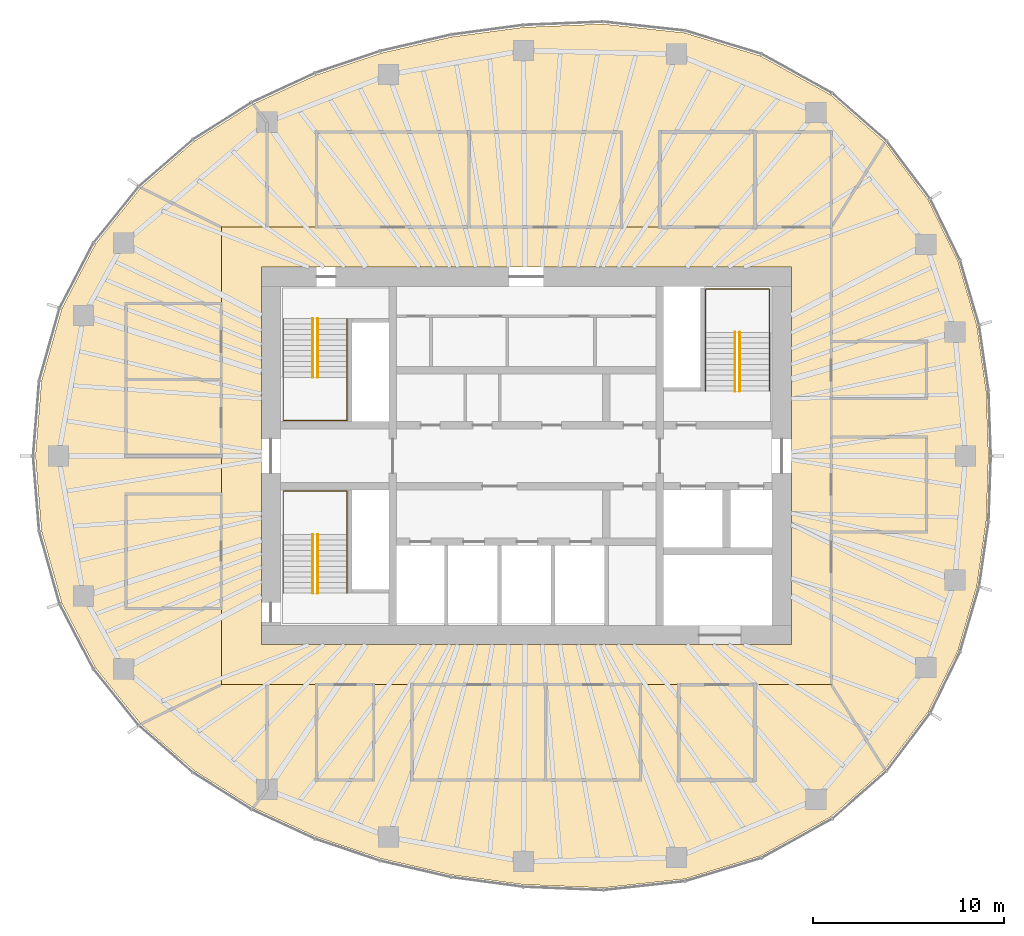
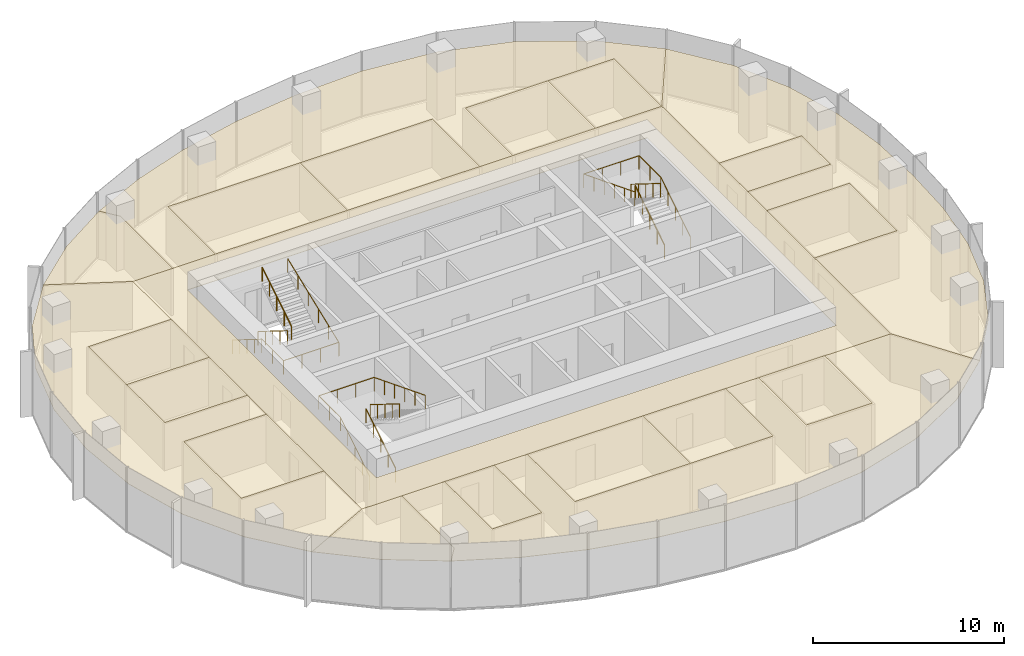
# One storey, part 12 of 12: 20 coverings, 9 railings.
"""IFC4 building model written with IfcOpenShell, lengths in metres."""

from ifc_helpers import new_model, si_unit, direction, frame, origin, origin_2d, place, context, subcontext, project, spatial, polyline, circle, outline, extrude, material, layer, layer_set, type_object, element, save


model = new_model("IFC4")

# Units and contexts
model_context = context("Model", 3, precision=1e-05, world=origin(), true_north=direction((0.0, 1.0)))
body_context = subcontext(model_context, "Body", "Model", "MODEL_VIEW")
ifc_project = project(units=[si_unit("LENGTHUNIT", "METRE"), si_unit("AREAUNIT", "SQUARE_METRE"), si_unit("VOLUMEUNIT", "CUBIC_METRE"), si_unit("PLANEANGLEUNIT", "RADIAN"), si_unit("MASSUNIT", "GRAM", prefix="KILO")], contexts=[model_context])

# Site, building, storey
site_placement = place(None, origin())
site = spatial("IfcSite", under=ifc_project, at=site_placement, CompositionType="ELEMENT")
building_placement = place(site_placement, origin())
building = spatial("IfcBuilding", under=site, at=building_placement, Name="Ghaith Harvest Tower", CompositionType="ELEMENT")
storey_placement = place(building_placement, frame((0.0, 0.0, 296.39990234375)))
storey = spatial("IfcBuildingStorey", under=building, at=storey_placement, Name="L66", CompositionType="ELEMENT", Elevation=296.39990234375)

# Coverings
ifc_material_1 = material(Name="Mineral fibre ceiling tile", Category="gypsum")
ifc_layer = layer(ifc_material_1, 0.02490234375)
ifc_layer_set = layer_set([ifc_layer], Name="CEILING C2")
covering_type = type_object("IfcCoveringType", Name="CEILING C2", PredefinedType="CEILING", material=ifc_layer_set)
covering_1_placement = place(storey_placement, frame((0.0, 0.0, 3.0)))
element("IfcCovering", 1, at=covering_1_placement, inside=storey, type_object=covering_type, Name="Ceiling L66-01", PredefinedType="CEILING", context=body_context, shape_type="SweptSolid", body=[
    extrude(outline(polyline([(-11.0, 12.0), (-3.0, 12.0), (-3.0, 17.0), (-11.0, 17.0), (-11.0, 12.0)])), origin(), (0.0, 0.0, 1.0), 0.025146484375),
])
covering_2_placement = place(storey_placement, frame((0.0, 0.0, 3.0)))
element("IfcCovering", 2, at=covering_2_placement, inside=storey, type_object=covering_type, Name="Ceiling L66-02", PredefinedType="CEILING", context=body_context, shape_type="SweptSolid", body=[
    extrude(outline(polyline([(-3.0, 12.0), (5.0, 12.0), (5.0, 17.0), (-3.0, 17.0), (-3.0, 12.0)])), origin(), (0.0, 0.0, 1.0), 0.025146484375),
])
covering_3_placement = place(storey_placement, frame((0.0, 0.0, 3.0)))
element("IfcCovering", 3, at=covering_3_placement, inside=storey, type_object=covering_type, Name="Ceiling L66-03", PredefinedType="CEILING", context=body_context, shape_type="SweptSolid", body=[
    extrude(outline(polyline([(7.0, 12.0), (12.0, 12.0), (12.0, 17.0), (7.0, 17.0), (7.0, 12.0)])), origin(), (0.0, 0.0, 1.0), 0.025146484375),
])
covering_4_placement = place(storey_placement, frame((0.0, 0.0, 3.0)))
element("IfcCovering", 4, at=covering_4_placement, inside=storey, type_object=covering_type, Name="Ceiling L66-04", PredefinedType="CEILING", context=body_context, shape_type="SweptSolid", body=[
    extrude(outline(polyline([(12.0, 12.0), (16.0, 12.0), (16.0, 17.0), (12.0, 17.0), (12.0, 12.0)])), origin(), (0.0, 0.0, 1.0), 0.025146484375),
])
covering_5_placement = place(storey_placement, frame((0.0, 0.0, 3.0)))
element("IfcCovering", 5, at=covering_5_placement, inside=storey, type_object=covering_type, Name="Ceiling L66-05", PredefinedType="CEILING", context=body_context, shape_type="SweptSolid", body=[
    extrude(outline(polyline([(-6.0, -17.0), (1.0, -17.0), (1.0, -12.0), (-6.0, -12.0), (-6.0, -17.0)])), origin(), (0.0, 0.0, 1.0), 0.025146484375),
])
covering_6_placement = place(storey_placement, frame((0.0, 0.0, 3.0)))
element("IfcCovering", 6, at=covering_6_placement, inside=storey, type_object=covering_type, Name="Ceiling L66-06", PredefinedType="CEILING", context=body_context, shape_type="SweptSolid", body=[
    extrude(outline(polyline([(1.0, -17.0), (6.0, -17.0), (6.0, -12.0), (1.0, -12.0), (1.0, -17.0)])), origin(), (0.0, 0.0, 1.0), 0.025146484375),
])
covering_7_placement = place(storey_placement, frame((0.0, 0.0, 3.0)))
element("IfcCovering", 7, at=covering_7_placement, inside=storey, type_object=covering_type, Name="Ceiling L66-07", PredefinedType="CEILING", context=body_context, shape_type="SweptSolid", body=[
    extrude(outline(polyline([(8.0, -17.0), (12.0, -17.0), (12.0, -12.0), (8.0, -12.0), (8.0, -17.0)])), origin(), (0.0, 0.0, 1.0), 0.025146484375),
])
covering_8_placement = place(storey_placement, frame((0.0, 0.0, 3.0)))
element("IfcCovering", 8, at=covering_8_placement, inside=storey, type_object=covering_type, Name="Ceiling L66-08", PredefinedType="CEILING", context=body_context, shape_type="SweptSolid", body=[
    extrude(outline(polyline([(-21.0, -8.0), (-16.0, -8.0), (-16.0, -2.0), (-21.0, -2.0), (-21.0, -8.0)])), origin(), (0.0, 0.0, 1.0), 0.025146484375),
])
covering_9_placement = place(storey_placement, frame((0.0, 0.0, 3.0)))
element("IfcCovering", 9, at=covering_9_placement, inside=storey, type_object=covering_type, Name="Ceiling L66-09", PredefinedType="CEILING", context=body_context, shape_type="SweptSolid", body=[
    extrude(outline(polyline([(16.0, -4.0), (21.0, -4.0), (21.0, 1.0), (16.0, 1.0), (16.0, -4.0)])), origin(), (0.0, 0.0, 1.0), 0.025146484375),
])
covering_10_placement = place(storey_placement, frame((0.0, 0.0, 3.0)))
element("IfcCovering", 10, at=covering_10_placement, inside=storey, type_object=covering_type, Name="Ceiling L66-10", PredefinedType="CEILING", context=body_context, shape_type="SweptSolid", body=[
    extrude(outline(polyline([(-11.0, -17.0), (-8.0, -17.0), (-8.0, -12.0), (-11.0, -12.0), (-11.0, -17.0)])), origin(), (0.0, 0.0, 1.0), 0.025146484375),
])
covering_11_placement = place(storey_placement, frame((0.0, 0.0, 3.0)))
element("IfcCovering", 11, at=covering_11_placement, inside=storey, type_object=covering_type, Name="Ceiling L66-11", PredefinedType="CEILING", context=body_context, shape_type="SweptSolid", body=[
    extrude(outline(polyline([(16.0, 3.0), (21.0, 3.0), (21.0, 6.0), (16.0, 6.0), (16.0, 3.0)])), origin(), (0.0, 0.0, 1.0), 0.025146484375),
])
covering_12_placement = place(storey_placement, frame((0.0, 0.0, 3.0)))
element("IfcCovering", 12, at=covering_12_placement, inside=storey, type_object=covering_type, Name="Ceiling L66-12", PredefinedType="CEILING", context=body_context, shape_type="SweptSolid", body=[
    extrude(outline(polyline([(-21.0, 0.0), (-16.0, 0.0), (-16.0, 4.0), (-21.0, 4.0), (-21.0, 0.0)])), origin(), (0.0, 0.0, 1.0), 0.025146484375),
])
covering_13_placement = place(storey_placement, frame((0.0, 0.0, 3.0)))
element("IfcCovering", 13, at=covering_13_placement, inside=storey, type_object=covering_type, Name="Ceiling L66-13", PredefinedType="CEILING", context=body_context, shape_type="SweptSolid", body=[
    extrude(outline(polyline([(-21.0, 4.0), (-16.0, 4.0), (-16.0, 8.0), (-21.0, 8.0), (-21.0, 4.0)])), origin(), (0.0, 0.0, 1.0), 0.025146484375),
])
covering_14_placement = place(storey_placement, frame((0.0, 0.0, 3.0)))
element("IfcCovering", 14, at=covering_14_placement, inside=storey, type_object=covering_type, Name="Ceiling L66-C1", PredefinedType="CEILING", context=body_context, shape_type="SweptSolid", body=[
    extrude(outline(polyline([(-16.0, 12.0), (16.0, 12.0), (16.0, -12.0), (-16.0, -12.0), (-16.0, 12.0)]), holes=[polyline([(-13.89990234375, 9.89990234375), (-13.89990234375, -9.89990234375), (13.89990234375, -9.89990234375), (13.89990234375, 9.89990234375), (-13.89990234375, 9.89990234375)])]), origin(), (0.0, 0.0, 1.0), 0.025146484375),
])
covering_15_placement = place(storey_placement, frame((0.0, 0.0, 3.0)))
element("IfcCovering", 15, at=covering_15_placement, inside=storey, type_object=covering_type, Name="Ceiling L66-N1", PredefinedType="CEILING", context=body_context, shape_type="SweptSolid", body=[
    extrude(outline(polyline([(-17.40771484375, 16.518310546875), (-14.331298828125, 18.452880859375), (-13.594970703125, 17.5048828125), (-13.594970703125, 12.0), (-16.0, 12.0), (-20.225830078125, 14.0732421875), (-17.40771484375, 16.518310546875)])), origin(), (0.0, 0.0, 1.0), 0.025146484375),
])
covering_16_placement = place(storey_placement, frame((0.0, 0.0, 3.0)))
element("IfcCovering", 16, at=covering_16_placement, inside=storey, type_object=covering_type, Name="Ceiling L66-N2", PredefinedType="CEILING", context=body_context, shape_type="SweptSolid", body=[
    extrude(outline(polyline([(-14.331298828125, 18.452880859375), (-14.331298828125, 18.452880859375), (-11.009521484375, 19.98779296875), (-7.6298828125, 21.12548828125), (-3.92529296875, 21.98046875), (-0.15380859375, 22.486083984375), (4.016845703125, 22.658447265625), (8.2978515625, 22.1962890625), (12.273681640625, 20.98828125), (15.971923828125, 18.940185546875), (18.810791015625, 16.4482421875), (16.0, 12.0), (16.0, 17.0), (7.0, 17.0), (7.0, 12.0), (5.0, 12.0), (5.0, 17.0), (-11.0, 17.0), (-11.0, 12.0), (-13.594970703125, 12.0), (-13.594970703125, 17.5048828125), (-14.331298828125, 18.452880859375)])), origin(), (0.0, 0.0, 1.0), 0.025146484375),
])
covering_17_placement = place(storey_placement, frame((0.0, 0.0, 3.0)))
element("IfcCovering", 17, at=covering_17_placement, inside=storey, type_object=covering_type, Name="Ceiling L66-E1", PredefinedType="CEILING", context=body_context, shape_type="SweptSolid", body=[
    extrude(outline(polyline([(21.087890625, 13.42041015625), (22.644775390625, 10.222900390625), (23.6376953125, 6.831787109375), (24.129150390625, 3.4169921875), (24.25, 0.0), (24.129150390625, -3.4169921875), (23.6376953125, -6.831787109375), (22.644775390625, -10.222900390625), (21.087890625, -13.42041015625), (18.810791015625, -16.4482421875), (16.0, -12.0), (16.0, -4.0), (21.0, -4.0), (21.0, 1.0), (16.0, 1.0), (16.0, 3.0), (21.0, 3.0), (21.0, 6.0), (16.0, 6.0), (16.0, 12.0), (18.810791015625, 16.4482421875), (21.087890625, 13.42041015625)])), origin(), (0.0, 0.0, 1.0), 0.025146484375),
])
covering_18_placement = place(storey_placement, frame((0.0, 0.0, 3.0)))
element("IfcCovering", 18, at=covering_18_placement, inside=storey, type_object=covering_type, Name="Ceiling L66-S1", PredefinedType="CEILING", context=body_context, shape_type="SweptSolid", body=[
    extrude(outline(polyline([(-20.225830078125, -14.0732421875), (-16.0, -12.0), (-13.594970703125, -12.0), (-13.594970703125, -17.5048828125), (-14.331298828125, -18.452880859375), (-17.40771484375, -16.518310546875), (-20.225830078125, -14.0732421875)])), origin(), (0.0, 0.0, 1.0), 0.025146484375),
])
covering_19_placement = place(storey_placement, frame((0.0, 0.0, 3.0)))
element("IfcCovering", 19, at=covering_19_placement, inside=storey, type_object=covering_type, Name="Ceiling L66-S2", PredefinedType="CEILING", context=body_context, shape_type="SweptSolid", body=[
    extrude(outline(polyline([(-13.594970703125, -12.0), (-11.0, -12.0), (-11.0, -17.0), (-8.0, -17.0), (-8.0, -12.0), (-6.0, -12.0), (-6.0, -17.0), (6.0, -17.0), (6.0, -12.0), (8.0, -12.0), (8.0, -17.0), (12.0, -17.0), (12.0, -12.0), (16.0, -12.0), (18.810791015625, -16.4482421875), (15.971923828125, -18.940185546875), (12.273681640625, -20.98828125), (8.2978515625, -22.1962890625), (4.016845703125, -22.658447265625), (-0.15380859375, -22.486083984375), (-3.92529296875, -21.98046875), (-7.6298828125, -21.12548828125), (-11.009521484375, -19.98779296875), (-14.331298828125, -18.452880859375), (-14.331298828125, -18.452880859375), (-13.594970703125, -17.5048828125), (-13.594970703125, -12.0)])), origin(), (0.0, 0.0, 1.0), 0.025146484375),
])
covering_20_placement = place(storey_placement, frame((0.0, 0.0, 3.0)))
element("IfcCovering", 20, at=covering_20_placement, inside=storey, type_object=covering_type, Name="Ceiling L66-W1", PredefinedType="CEILING", context=body_context, shape_type="SweptSolid", body=[
    extrude(outline(polyline([(-22.5986328125, -11.12353515625), (-24.368408203125, -7.722900390625), (-25.43310546875, -3.93359375), (-25.75, 0.0), (-25.43310546875, 3.93359375), (-24.368408203125, 7.722900390625), (-22.5986328125, 11.12353515625), (-20.225830078125, 14.0732421875), (-16.0, 12.0), (-16.0, 8.0), (-21.0, 8.0), (-21.0, 0.0), (-16.0, 0.0), (-16.0, -2.0), (-21.0, -2.0), (-21.0, -8.0), (-16.0, -8.0), (-16.0, -12.0), (-20.225830078125, -14.0732421875), (-22.5986328125, -11.12353515625)])), origin(), (0.0, 0.0, 1.0), 0.025146484375),
])

# Railings
ifc_material_2 = material(Name="Steel, black powder-coated", Category="steel")
railing_type = type_object("IfcRailingType", Name="HANDRAIL HR1", PredefinedType="HANDRAIL", material=ifc_material_2)
railing_1_placement = place(storey_placement, frame((-11.199951171875, 7.199951171875, 0.175048828125)))
element("IfcRailing", 21, at=railing_1_placement, inside=storey, type_object=railing_type, Name="Handrail HR1 stair ST1 L66 flight 1 inner", PredefinedType="HANDRAIL", context=body_context, shape_type="SweptSolid", body=[
    extrude(circle(Radius=0.02392578125, at=origin_2d()), frame((0.0, 0.0, 0.8759765625), z_axis=(0.0, -0.847979421464, 0.530029150871), x_axis=(1.0, 0.0, 0.0)), (0.0, 0.0, 1.0), 3.632080078125),
    extrude(circle(Radius=0.02099609375, at=origin_2d()), origin(), (0.0, 0.0, 1.0), 0.851806640625),
    extrude(circle(Radius=0.02099609375, at=origin_2d()), frame((0.0, -0.77001953125, 0.481201171875)), (0.0, 0.0, 1.0), 0.851806640625),
    extrude(circle(Radius=0.02099609375, at=origin_2d()), frame((0.0, -1.5400390625, 0.96240234375)), (0.0, 0.0, 1.0), 0.851806640625),
    extrude(circle(Radius=0.02099609375, at=origin_2d()), frame((0.0, -2.309814453125, 1.44384765625)), (0.0, 0.0, 1.0), 0.851806640625),
    extrude(circle(Radius=0.02099609375, at=origin_2d()), frame((0.0, -3.079833984375, 1.925048828125)), (0.0, 0.0, 1.0), 0.851806640625),
])
railing_2_placement = place(storey_placement, frame((-10.949951171875, 4.1201171875, 2.275146484375)))
element("IfcRailing", 22, at=railing_2_placement, inside=storey, type_object=railing_type, Name="Handrail HR1 stair ST1 L66 flight 2 inner", PredefinedType="HANDRAIL", context=body_context, shape_type="SweptSolid", body=[
    extrude(circle(Radius=0.02392578125, at=origin_2d()), frame((0.0, 0.0, 0.8759765625), z_axis=(0.0, 0.847979421464, 0.530029150871), x_axis=(-1.0, 0.0, 0.0)), (0.0, 0.0, 1.0), 3.632080078125),
    extrude(circle(Radius=0.02099609375, at=origin_2d()), origin(), (0.0, 0.0, 1.0), 0.851806640625),
    extrude(circle(Radius=0.02099609375, at=origin_2d()), frame((0.0, 0.77001953125, 0.481201171875)), (0.0, 0.0, 1.0), 0.851806640625),
    extrude(circle(Radius=0.02099609375, at=origin_2d()), frame((0.0, 1.5400390625, 0.96240234375)), (0.0, 0.0, 1.0), 0.851806640625),
    extrude(circle(Radius=0.02099609375, at=origin_2d()), frame((0.0, 2.309814453125, 1.44384765625)), (0.0, 0.0, 1.0), 0.851806640625),
    extrude(circle(Radius=0.02099609375, at=origin_2d()), frame((0.0, 3.079833984375, 1.925048828125)), (0.0, 0.0, 1.0), 0.851806640625),
])
railing_3_placement = place(storey_placement, frame((-12.75, 7.199951171875, 0.175048828125)))
element("IfcRailing", 23, at=railing_3_placement, inside=storey, type_object=railing_type, Name="Handrail HR1 stair ST1 L66 wall side", PredefinedType="HANDRAIL", context=body_context, shape_type="SweptSolid", body=[
    extrude(circle(Radius=0.02392578125, at=origin_2d()), frame((0.0, 0.0, 0.8759765625), z_axis=(0.0, -0.847979421464, 0.530029150871), x_axis=(1.0, 0.0, 0.0)), (0.0, 0.0, 1.0), 3.632080078125),
    extrude(circle(Radius=0.02392578125, at=origin_2d()), frame((0.0, -3.079833984375, 2.80078125), z_axis=(0.0, -1.0, 0.0), x_axis=(1.0, 0.0, 0.0)), (0.0, 0.0, 1.0), 2.27001953125),
    extrude(circle(Radius=0.02392578125, at=origin_2d()), frame((0.0, -5.349853515625, 2.80078125), z_axis=(1.0, 0.0, 0.0), x_axis=(0.0, 1.0, 0.0)), (0.0, 0.0, 1.0), 3.35009765625),
    extrude(circle(Radius=0.02392578125, at=origin_2d()), frame((3.35009765625, -5.349853515625, 2.80078125), z_axis=(0.0, 0.930848013298, 0.36540659017), x_axis=(-1.0, 0.0, 0.0)), (0.0, 0.0, 1.0), 5.747314453125),
    extrude(circle(Radius=0.02099609375, at=origin_2d()), origin(), (0.0, 0.0, 1.0), 0.851806640625),
    extrude(circle(Radius=0.02099609375, at=origin_2d()), frame((0.0, -0.77001953125, 0.481201171875)), (0.0, 0.0, 1.0), 0.851806640625),
    extrude(circle(Radius=0.02099609375, at=origin_2d()), frame((0.0, -1.5400390625, 0.96240234375)), (0.0, 0.0, 1.0), 0.851806640625),
    extrude(circle(Radius=0.02099609375, at=origin_2d()), frame((0.0, -2.309814453125, 1.44384765625)), (0.0, 0.0, 1.0), 0.851806640625),
    extrude(circle(Radius=0.02099609375, at=origin_2d()), frame((0.0, -3.079833984375, 1.925048828125)), (0.0, 0.0, 1.0), 0.851806640625),
    extrude(circle(Radius=0.02099609375, at=origin_2d()), frame((0.0, -4.21484375, 1.925048828125)), (0.0, 0.0, 1.0), 0.851806640625),
    extrude(circle(Radius=0.02099609375, at=origin_2d()), frame((0.0, -5.349853515625, 1.925048828125)), (0.0, 0.0, 1.0), 0.851806640625),
    extrude(circle(Radius=0.02099609375, at=origin_2d()), frame((1.11669921875, -5.349853515625, 1.925048828125)), (0.0, 0.0, 1.0), 0.851806640625),
    extrude(circle(Radius=0.02099609375, at=origin_2d()), frame((2.2333984375, -5.349853515625, 1.925048828125)), (0.0, 0.0, 1.0), 0.851806640625),
    extrude(circle(Radius=0.02099609375, at=origin_2d()), frame((3.35009765625, -5.349853515625, 1.925048828125)), (0.0, 0.0, 1.0), 0.851806640625),
    extrude(circle(Radius=0.02099609375, at=origin_2d()), frame((3.35009765625, -4.27978515625, 2.344970703125)), (0.0, 0.0, 1.0), 0.851806640625),
    extrude(circle(Radius=0.02099609375, at=origin_2d()), frame((3.35009765625, -3.2099609375, 2.76513671875)), (0.0, 0.0, 1.0), 0.851806640625),
    extrude(circle(Radius=0.02099609375, at=origin_2d()), frame((3.35009765625, -2.139892578125, 3.18505859375)), (0.0, 0.0, 1.0), 0.851806640625),
    extrude(circle(Radius=0.02099609375, at=origin_2d()), frame((3.35009765625, -1.070068359375, 3.605224609375)), (0.0, 0.0, 1.0), 0.851806640625),
    extrude(circle(Radius=0.02099609375, at=origin_2d()), frame((3.35009765625, 0.0, 4.025146484375)), (0.0, 0.0, 1.0), 0.851806640625),
])
railing_4_placement = place(storey_placement, frame((-11.199951171875, -7.199951171875, 0.175048828125)))
element("IfcRailing", 24, at=railing_4_placement, inside=storey, type_object=railing_type, Name="Handrail HR1 stair ST3 L66 flight 1 inner", PredefinedType="HANDRAIL", context=body_context, shape_type="SweptSolid", body=[
    extrude(circle(Radius=0.02392578125, at=origin_2d()), frame((0.0, 0.0, 0.8759765625), z_axis=(0.0, 0.847979421464, 0.530029150871), x_axis=(-1.0, 0.0, 0.0)), (0.0, 0.0, 1.0), 3.632080078125),
    extrude(circle(Radius=0.02099609375, at=origin_2d()), origin(), (0.0, 0.0, 1.0), 0.851806640625),
    extrude(circle(Radius=0.02099609375, at=origin_2d()), frame((0.0, 0.77001953125, 0.481201171875)), (0.0, 0.0, 1.0), 0.851806640625),
    extrude(circle(Radius=0.02099609375, at=origin_2d()), frame((0.0, 1.5400390625, 0.96240234375)), (0.0, 0.0, 1.0), 0.851806640625),
    extrude(circle(Radius=0.02099609375, at=origin_2d()), frame((0.0, 2.309814453125, 1.44384765625)), (0.0, 0.0, 1.0), 0.851806640625),
    extrude(circle(Radius=0.02099609375, at=origin_2d()), frame((0.0, 3.079833984375, 1.925048828125)), (0.0, 0.0, 1.0), 0.851806640625),
])
railing_5_placement = place(storey_placement, frame((-10.949951171875, -4.1201171875, 2.275146484375)))
element("IfcRailing", 25, at=railing_5_placement, inside=storey, type_object=railing_type, Name="Handrail HR1 stair ST3 L66 flight 2 inner", PredefinedType="HANDRAIL", context=body_context, shape_type="SweptSolid", body=[
    extrude(circle(Radius=0.02392578125, at=origin_2d()), frame((0.0, 0.0, 0.8759765625), z_axis=(0.0, -0.847979421464, 0.530029150871), x_axis=(1.0, 0.0, 0.0)), (0.0, 0.0, 1.0), 3.632080078125),
    extrude(circle(Radius=0.02099609375, at=origin_2d()), origin(), (0.0, 0.0, 1.0), 0.851806640625),
    extrude(circle(Radius=0.02099609375, at=origin_2d()), frame((0.0, -0.77001953125, 0.481201171875)), (0.0, 0.0, 1.0), 0.851806640625),
    extrude(circle(Radius=0.02099609375, at=origin_2d()), frame((0.0, -1.5400390625, 0.96240234375)), (0.0, 0.0, 1.0), 0.851806640625),
    extrude(circle(Radius=0.02099609375, at=origin_2d()), frame((0.0, -2.309814453125, 1.44384765625)), (0.0, 0.0, 1.0), 0.851806640625),
    extrude(circle(Radius=0.02099609375, at=origin_2d()), frame((0.0, -3.079833984375, 1.925048828125)), (0.0, 0.0, 1.0), 0.851806640625),
])
railing_6_placement = place(storey_placement, frame((-12.75, -7.199951171875, 0.175048828125)))
element("IfcRailing", 26, at=railing_6_placement, inside=storey, type_object=railing_type, Name="Handrail HR1 stair ST3 L66 wall side", PredefinedType="HANDRAIL", context=body_context, shape_type="SweptSolid", body=[
    extrude(circle(Radius=0.02392578125, at=origin_2d()), frame((0.0, 0.0, 0.8759765625), z_axis=(0.0, 0.847979421464, 0.530029150871), x_axis=(-1.0, 0.0, 0.0)), (0.0, 0.0, 1.0), 3.632080078125),
    extrude(circle(Radius=0.02392578125, at=origin_2d()), frame((0.0, 3.079833984375, 2.80078125), z_axis=(0.0, 1.0, 0.0), x_axis=(-1.0, 0.0, 0.0)), (0.0, 0.0, 1.0), 2.27001953125),
    extrude(circle(Radius=0.02392578125, at=origin_2d()), frame((0.0, 5.349853515625, 2.80078125), z_axis=(1.0, 0.0, 0.0), x_axis=(0.0, 1.0, 0.0)), (0.0, 0.0, 1.0), 3.35009765625),
    extrude(circle(Radius=0.02392578125, at=origin_2d()), frame((3.35009765625, 5.349853515625, 2.80078125), z_axis=(0.0, -0.930848013298, 0.36540659017), x_axis=(1.0, 0.0, 0.0)), (0.0, 0.0, 1.0), 5.747314453125),
    extrude(circle(Radius=0.02099609375, at=origin_2d()), origin(), (0.0, 0.0, 1.0), 0.851806640625),
    extrude(circle(Radius=0.02099609375, at=origin_2d()), frame((0.0, 0.77001953125, 0.481201171875)), (0.0, 0.0, 1.0), 0.851806640625),
    extrude(circle(Radius=0.02099609375, at=origin_2d()), frame((0.0, 1.5400390625, 0.96240234375)), (0.0, 0.0, 1.0), 0.851806640625),
    extrude(circle(Radius=0.02099609375, at=origin_2d()), frame((0.0, 2.309814453125, 1.44384765625)), (0.0, 0.0, 1.0), 0.851806640625),
    extrude(circle(Radius=0.02099609375, at=origin_2d()), frame((0.0, 3.079833984375, 1.925048828125)), (0.0, 0.0, 1.0), 0.851806640625),
    extrude(circle(Radius=0.02099609375, at=origin_2d()), frame((0.0, 4.21484375, 1.925048828125)), (0.0, 0.0, 1.0), 0.851806640625),
    extrude(circle(Radius=0.02099609375, at=origin_2d()), frame((0.0, 5.349853515625, 1.925048828125)), (0.0, 0.0, 1.0), 0.851806640625),
    extrude(circle(Radius=0.02099609375, at=origin_2d()), frame((1.11669921875, 5.349853515625, 1.925048828125)), (0.0, 0.0, 1.0), 0.851806640625),
    extrude(circle(Radius=0.02099609375, at=origin_2d()), frame((2.2333984375, 5.349853515625, 1.925048828125)), (0.0, 0.0, 1.0), 0.851806640625),
    extrude(circle(Radius=0.02099609375, at=origin_2d()), frame((3.35009765625, 5.349853515625, 1.925048828125)), (0.0, 0.0, 1.0), 0.851806640625),
    extrude(circle(Radius=0.02099609375, at=origin_2d()), frame((3.35009765625, 4.27978515625, 2.344970703125)), (0.0, 0.0, 1.0), 0.851806640625),
    extrude(circle(Radius=0.02099609375, at=origin_2d()), frame((3.35009765625, 3.2099609375, 2.76513671875)), (0.0, 0.0, 1.0), 0.851806640625),
    extrude(circle(Radius=0.02099609375, at=origin_2d()), frame((3.35009765625, 2.139892578125, 3.18505859375)), (0.0, 0.0, 1.0), 0.851806640625),
    extrude(circle(Radius=0.02099609375, at=origin_2d()), frame((3.35009765625, 1.070068359375, 3.605224609375)), (0.0, 0.0, 1.0), 0.851806640625),
    extrude(circle(Radius=0.02099609375, at=origin_2d()), frame((3.35009765625, 0.0, 4.025146484375)), (0.0, 0.0, 1.0), 0.851806640625),
])
railing_7_placement = place(storey_placement, frame((11.199951171875, 3.39990234375, 0.175048828125)))
element("IfcRailing", 27, at=railing_7_placement, inside=storey, type_object=railing_type, Name="Handrail HR1 stair ST2 L66 flight 1 inner", PredefinedType="HANDRAIL", context=body_context, shape_type="SweptSolid", body=[
    extrude(circle(Radius=0.02392578125, at=origin_2d()), frame((0.0, 0.0, 0.8759765625), z_axis=(0.0, 0.847998304005, 0.529998940003), x_axis=(-1.0, 0.0, 0.0)), (0.0, 0.0, 1.0), 3.632080078125),
    extrude(circle(Radius=0.02099609375, at=origin_2d()), origin(), (0.0, 0.0, 1.0), 0.851806640625),
    extrude(circle(Radius=0.02099609375, at=origin_2d()), frame((0.0, 0.77001953125, 0.481201171875)), (0.0, 0.0, 1.0), 0.851806640625),
    extrude(circle(Radius=0.02099609375, at=origin_2d()), frame((0.0, 1.5400390625, 0.96240234375)), (0.0, 0.0, 1.0), 0.851806640625),
    extrude(circle(Radius=0.02099609375, at=origin_2d()), frame((0.0, 2.31005859375, 1.44384765625)), (0.0, 0.0, 1.0), 0.851806640625),
    extrude(circle(Radius=0.02099609375, at=origin_2d()), frame((0.0, 3.080078125, 1.925048828125)), (0.0, 0.0, 1.0), 0.851806640625),
])
railing_8_placement = place(storey_placement, frame((10.949951171875, 6.47998046875, 2.275146484375)))
element("IfcRailing", 28, at=railing_8_placement, inside=storey, type_object=railing_type, Name="Handrail HR1 stair ST2 L66 flight 2 inner", PredefinedType="HANDRAIL", context=body_context, shape_type="SweptSolid", body=[
    extrude(circle(Radius=0.02392578125, at=origin_2d()), frame((0.0, 0.0, 0.8759765625), z_axis=(0.0, -0.847998304005, 0.529998940003), x_axis=(1.0, 0.0, 0.0)), (0.0, 0.0, 1.0), 3.632080078125),
    extrude(circle(Radius=0.02099609375, at=origin_2d()), origin(), (0.0, 0.0, 1.0), 0.851806640625),
    extrude(circle(Radius=0.02099609375, at=origin_2d()), frame((0.0, -0.77001953125, 0.481201171875)), (0.0, 0.0, 1.0), 0.851806640625),
    extrude(circle(Radius=0.02099609375, at=origin_2d()), frame((0.0, -1.5400390625, 0.96240234375)), (0.0, 0.0, 1.0), 0.851806640625),
    extrude(circle(Radius=0.02099609375, at=origin_2d()), frame((0.0, -2.31005859375, 1.44384765625)), (0.0, 0.0, 1.0), 0.851806640625),
    extrude(circle(Radius=0.02099609375, at=origin_2d()), frame((0.0, -3.080078125, 1.925048828125)), (0.0, 0.0, 1.0), 0.851806640625),
])
railing_9_placement = place(storey_placement, frame((12.75, 3.39990234375, 0.175048828125)))
element("IfcRailing", 29, at=railing_9_placement, inside=storey, type_object=railing_type, Name="Handrail HR1 stair ST2 L66 wall side", PredefinedType="HANDRAIL", context=body_context, shape_type="SweptSolid", body=[
    extrude(circle(Radius=0.02392578125, at=origin_2d()), frame((0.0, 0.0, 0.8759765625), z_axis=(0.0, 0.847998304005, 0.529998940003), x_axis=(-1.0, 0.0, 0.0)), (0.0, 0.0, 1.0), 3.632080078125),
    extrude(circle(Radius=0.02392578125, at=origin_2d()), frame((0.0, 3.080078125, 2.80078125), z_axis=(0.0, 1.0, 0.0), x_axis=(-1.0, 0.0, 0.0)), (0.0, 0.0, 1.0), 2.27001953125),
    extrude(circle(Radius=0.02392578125, at=origin_2d()), frame((0.0, 5.35009765625, 2.80078125), z_axis=(-1.0, 0.0, 0.0), x_axis=(0.0, -1.0, 0.0)), (0.0, 0.0, 1.0), 3.35009765625),
    extrude(circle(Radius=0.02392578125, at=origin_2d()), frame((-3.35009765625, 5.35009765625, 2.80078125), z_axis=(0.0, -0.930853684876, 0.365392141887), x_axis=(1.0, 0.0, 0.0)), (0.0, 0.0, 1.0), 5.74755859375),
    extrude(circle(Radius=0.02099609375, at=origin_2d()), origin(), (0.0, 0.0, 1.0), 0.851806640625),
    extrude(circle(Radius=0.02099609375, at=origin_2d()), frame((0.0, 0.77001953125, 0.481201171875)), (0.0, 0.0, 1.0), 0.851806640625),
    extrude(circle(Radius=0.02099609375, at=origin_2d()), frame((0.0, 1.5400390625, 0.96240234375)), (0.0, 0.0, 1.0), 0.851806640625),
    extrude(circle(Radius=0.02099609375, at=origin_2d()), frame((0.0, 2.31005859375, 1.44384765625)), (0.0, 0.0, 1.0), 0.851806640625),
    extrude(circle(Radius=0.02099609375, at=origin_2d()), frame((0.0, 3.080078125, 1.925048828125)), (0.0, 0.0, 1.0), 0.851806640625),
    extrude(circle(Radius=0.02099609375, at=origin_2d()), frame((0.0, 4.215087890625, 1.925048828125)), (0.0, 0.0, 1.0), 0.851806640625),
    extrude(circle(Radius=0.02099609375, at=origin_2d()), frame((0.0, 5.35009765625, 1.925048828125)), (0.0, 0.0, 1.0), 0.851806640625),
    extrude(circle(Radius=0.02099609375, at=origin_2d()), frame((-1.11669921875, 5.35009765625, 1.925048828125)), (0.0, 0.0, 1.0), 0.851806640625),
    extrude(circle(Radius=0.02099609375, at=origin_2d()), frame((-2.2333984375, 5.35009765625, 1.925048828125)), (0.0, 0.0, 1.0), 0.851806640625),
    extrude(circle(Radius=0.02099609375, at=origin_2d()), frame((-3.35009765625, 5.35009765625, 1.925048828125)), (0.0, 0.0, 1.0), 0.851806640625),
    extrude(circle(Radius=0.02099609375, at=origin_2d()), frame((-3.35009765625, 4.280029296875, 2.344970703125)), (0.0, 0.0, 1.0), 0.851806640625),
    extrude(circle(Radius=0.02099609375, at=origin_2d()), frame((-3.35009765625, 3.2099609375, 2.76513671875)), (0.0, 0.0, 1.0), 0.851806640625),
    extrude(circle(Radius=0.02099609375, at=origin_2d()), frame((-3.35009765625, 2.14013671875, 3.18505859375)), (0.0, 0.0, 1.0), 0.851806640625),
    extrude(circle(Radius=0.02099609375, at=origin_2d()), frame((-3.35009765625, 1.070068359375, 3.605224609375)), (0.0, 0.0, 1.0), 0.851806640625),
    extrude(circle(Radius=0.02099609375, at=origin_2d()), frame((-3.35009765625, 0.0, 4.025146484375)), (0.0, 0.0, 1.0), 0.851806640625),
])

save(model, "model.ifc")
